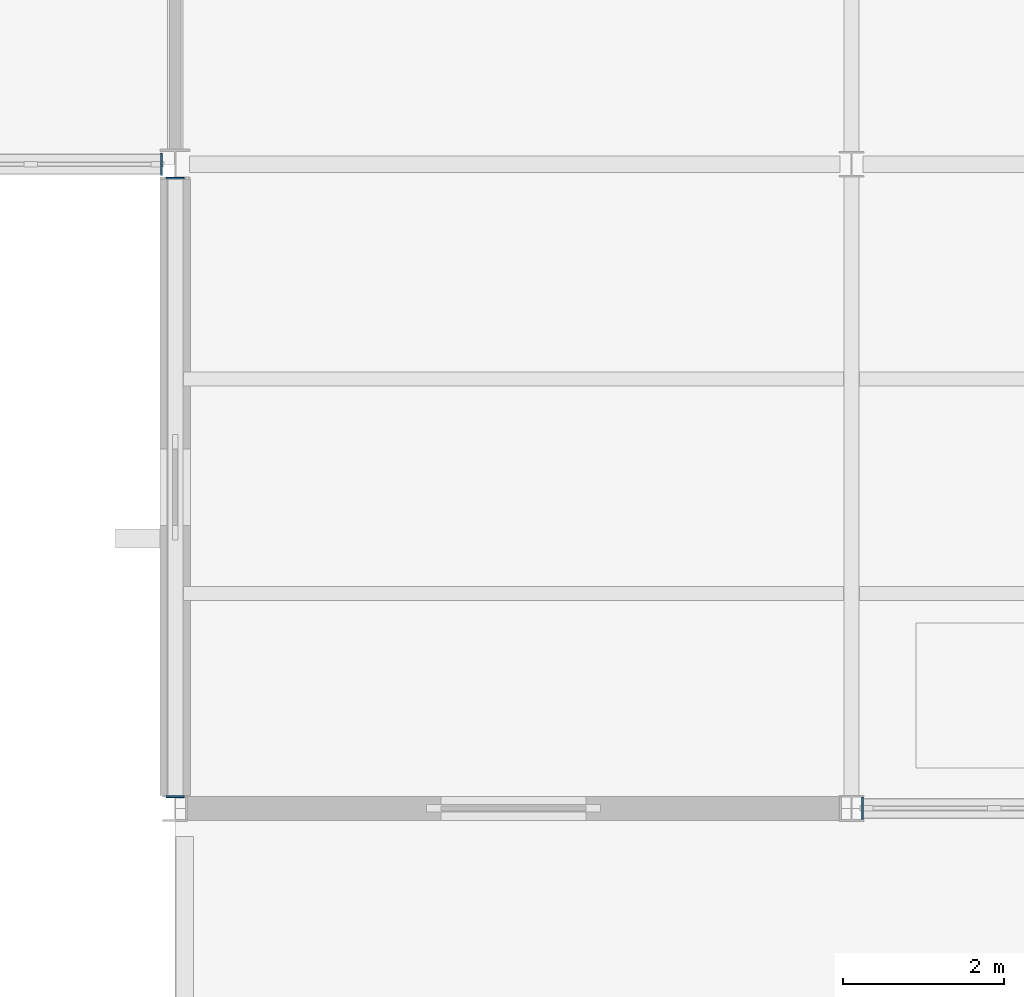
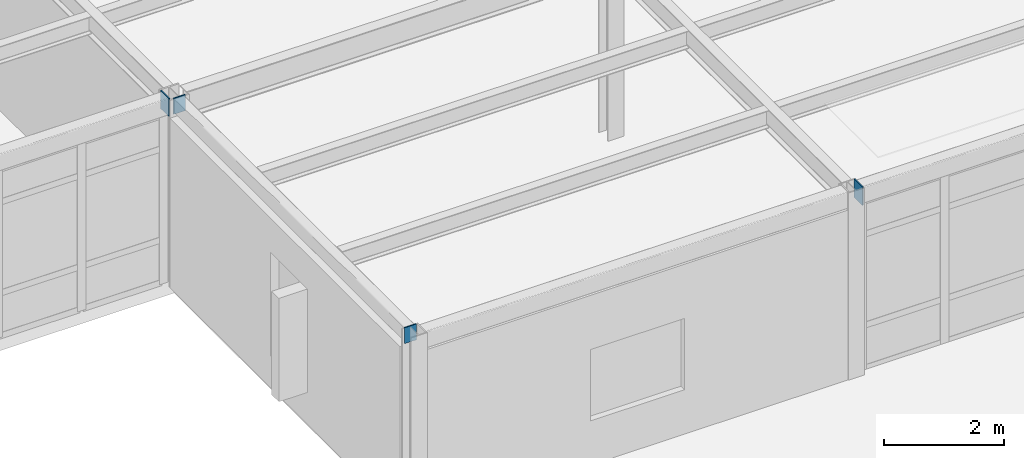
# One storey, part 85 of 138: 4 discrete accessories.
"""IFC4 building model written with IfcOpenShell, lengths in metres."""

from ifc_helpers import new_model, si_unit, direction, frame, origin, origin_2d, place, context, subcontext, project, spatial, rectangle, extrude, material, layer, layer_set, type_object, element, save


model = new_model("IFC4")

# Units and contexts
model_context = context("Model", 3, precision=1e-05, world=origin(), true_north=direction((0.0, 1.0)))
body_context = subcontext(model_context, "Body", "Model", "MODEL_VIEW")
ifc_project = project(units=[si_unit("LENGTHUNIT", "METRE"), si_unit("AREAUNIT", "SQUARE_METRE"), si_unit("VOLUMEUNIT", "CUBIC_METRE"), si_unit("PLANEANGLEUNIT", "RADIAN"), si_unit("MASSUNIT", "GRAM", prefix="KILO")], contexts=[model_context])

# Site, building, storey
site_placement = place(None, origin())
site = spatial("IfcSite", under=ifc_project, at=site_placement, CompositionType="ELEMENT")
building_placement = place(site_placement, origin())
building = spatial("IfcBuilding", under=site, at=building_placement, Name="Kranzveld Transit Interchange", CompositionType="ELEMENT")
storey_placement = place(building_placement, frame((0.0, 0.0, 5.43994140625)))
storey = spatial("IfcBuildingStorey", under=building, at=storey_placement, Name="L01", CompositionType="ELEMENT", Elevation=5.43994140625)

# Discrete accessories
ifc_material = material(Name="Steel S355JR", Category="steel")
ifc_layer = layer(ifc_material, 0.02001953125)
ifc_layer_set = layer_set([ifc_layer], Name="Steel S355JR")
discrete_accessory_type = type_object("IfcDiscreteAccessoryType", Name="Hollow Section End Cap Bracket 20 S355JR", PredefinedType="BRACKET", material=ifc_layer_set)
discrete_accessory_1_placement = place(storey_placement, frame((58.948486328125, 8.0, 3.625), z_axis=(-1.0, 0.0, 0.0), x_axis=(0.0, -1.0, 0.0)))
element("IfcDiscreteAccessory", 1, at=discrete_accessory_1_placement, inside=storey, type_object=discrete_accessory_type, Name="Hollow Section End Cap SP-RHS350-1", PredefinedType="BRACKET", context=body_context, shape_type="SweptSolid", body=[
    extrude(rectangle(XDim=0.27392578125, YDim=0.3740234375, at=origin_2d()), origin(), (0.0, 0.0, 1.0), 0.019775390625),
])
discrete_accessory_2_placement = place(storey_placement, frame((50.21875, 16.0, 3.625), z_axis=(1.0, 0.0, 0.0), x_axis=(0.0, 1.0, 0.0)))
element("IfcDiscreteAccessory", 2, at=discrete_accessory_2_placement, inside=storey, type_object=discrete_accessory_type, Name="Hollow Section End Cap SP-RHS350-2", PredefinedType="BRACKET", context=body_context, shape_type="SweptSolid", body=[
    extrude(rectangle(XDim=0.27392578125, YDim=0.3740234375, at=origin_2d()), origin(), (0.0, 0.0, 1.0), 0.02001953125),
])
for number, where, z_axis, x_axis, name in (
    (3, (50.39990234375, 8.154296875, 3.650146484375), (0.0, -1.0, 0.0), (1.0, 0.0, 0.0), "Hollow Section End Cap SP-RHS300-1"),
    (4, (50.39990234375, 15.818603515625, 3.650146484375), (0.0, 1.0, 0.0), (-1.0, 0.0, 0.0), "Hollow Section End Cap SP-RHS300-2"),
):
    element("IfcDiscreteAccessory", number, at=place(storey_placement, frame(where, z_axis=z_axis, x_axis=x_axis)), inside=storey, type_object=discrete_accessory_type, Name=name, PredefinedType="BRACKET", context=body_context, shape_type="SweptSolid", body=[
        extrude(rectangle(XDim=0.22412109375, YDim=0.323974609375, at=origin_2d()), origin(), (0.0, 0.0, 1.0), 0.02001953125),
    ])

save(model, "model.ifc")
